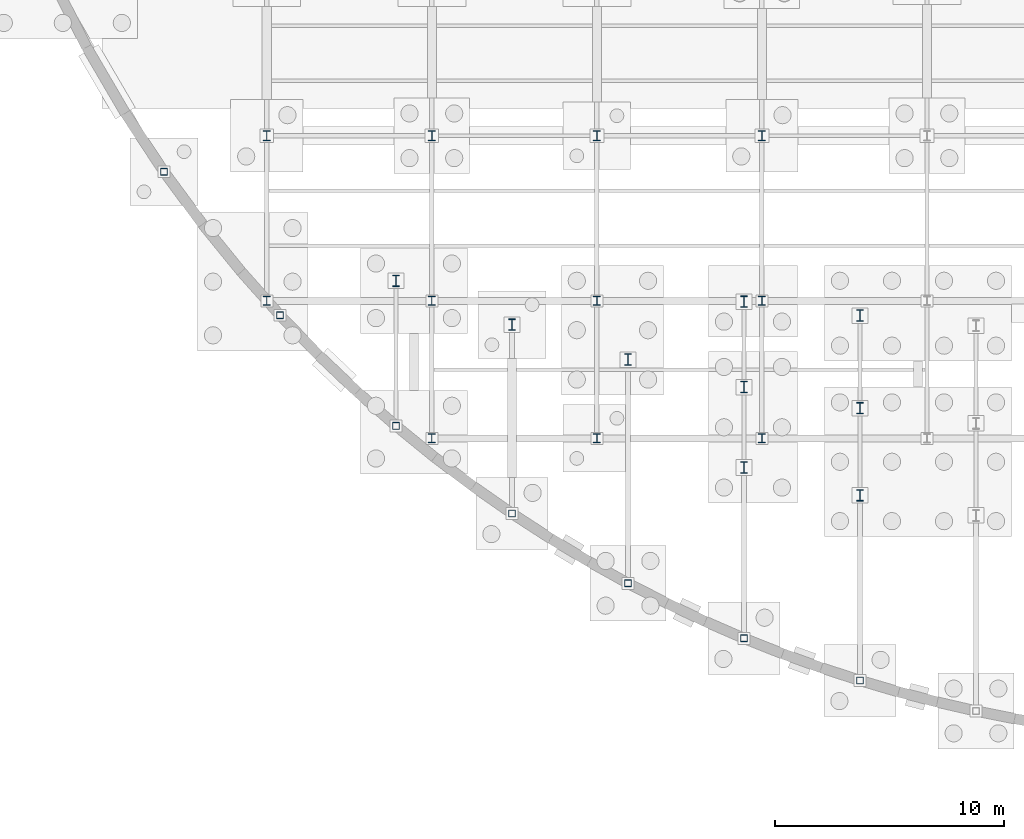
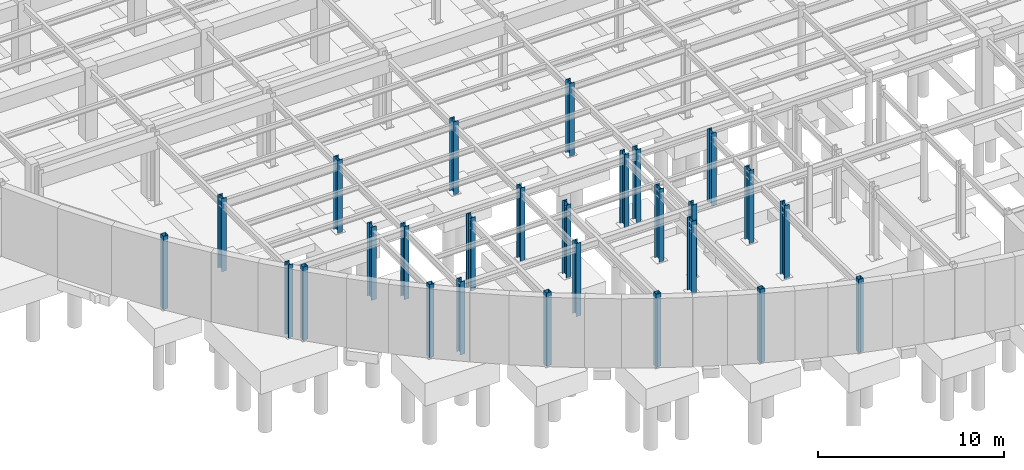
# One storey, part 16 of 64: 27 columns.
"""IFC4 building model written with IfcOpenShell, lengths in metres."""

from ifc_helpers import new_model, si_unit, direction, frame, origin, origin_2d, place, context, subcontext, project, spatial, hollow_rectangle, i_section, extrude, material, material_profile, profile_set, type_object, element, save


model = new_model("IFC4")

# Units and contexts
model_context = context("Model", 3, precision=1e-05, world=origin(), true_north=direction((0.0, 1.0)))
body_context = subcontext(model_context, "Body", "Model", "MODEL_VIEW")
ifc_project = project(units=[si_unit("LENGTHUNIT", "METRE"), si_unit("AREAUNIT", "SQUARE_METRE"), si_unit("VOLUMEUNIT", "CUBIC_METRE"), si_unit("PLANEANGLEUNIT", "RADIAN"), si_unit("MASSUNIT", "GRAM", prefix="KILO")], contexts=[model_context])

# Site, building, storey
site_placement = place(None, origin())
site = spatial("IfcSite", under=ifc_project, at=site_placement, CompositionType="ELEMENT")
building_placement = place(site_placement, origin())
building = spatial("IfcBuilding", under=site, at=building_placement, Name="Solvadek Multi-Sports Hall", CompositionType="ELEMENT")
storey_placement = place(building_placement, frame((0.0, 0.0, -4.800048828125)))
storey = spatial("IfcBuildingStorey", under=building, at=storey_placement, Name="B1", CompositionType="ELEMENT", Elevation=-4.800048828125)

# Columns
ifc_material = material(Name="Steel E350 (350 MPa)", Category="steel")
ifc_material_profile_1 = material_profile(ifc_material, hollow_rectangle(XDim=0.300048828125, YDim=0.300048828125, WallThickness=0.012451171875, at=origin_2d()), Name="SHS 300x300x12.5")
ifc_profile_set_1 = profile_set([ifc_material_profile_1], Name="Steel E350 (350 MPa)")
column_type_1 = type_object("IfcColumnType", Name="STR-COL-SHS300", PredefinedType="COLUMN", material=ifc_profile_set_1)
for number, where, z_axis, x_axis, name in (
    (1, (31.51513671875, 11.63232421875, 0.0), (0.0, 0.0, 1.0), (1.0, 0.0, 0.0), "B1 Column C-10 #267"),
    (2, (36.57568359375, 5.37158203125, 0.0), (0.0, 0.0, 1.0), (1.0, 0.0, 0.0), "B1 Column C-10 #268"),
    (3, (41.636474609375, 0.54541015625, 0.0), (0.0, 0.0, 1.0), (1.0, 0.0, 0.0), "B1 Column C-10 #269"),
    (4, (46.697021484375, -3.2783203125, 0.0), (0.0, 0.0, 1.0), (1.0, 0.0, 0.0), "B1 Column C-10 #271"),
    (5, (51.757568359375, -6.323974609375, 0.0), (0.0, 0.0, 1.0), (1.0, 0.0, 0.0), "B1 Column C-10 #273"),
    (6, (56.818115234375, -8.72412109375, 0.0), (0.0, 0.0, 1.0), (1.0, 0.0, 0.0), "B1 Column C-10 #275"),
    (7, (61.87890625, -10.562744140625, 0.0), (0.0, 0.0, 1.0), (1.0, 0.0, 0.0), "B1 Column C-10 #279"),
):
    element("IfcColumn", number, at=place(storey_placement, frame(where, z_axis=z_axis, x_axis=x_axis)), inside=storey, type_object=column_type_1, Name=name, PredefinedType="COLUMN", context=body_context, shape_type="SweptSolid", body=[
        extrude(hollow_rectangle(XDim=0.300048828125, YDim=0.300048828125, WallThickness=0.012451171875, at=origin_2d()), origin(), (0.0, 0.0, 1.0), 4.800048828125),
    ])
ifc_material_profile_2 = material_profile(ifc_material, i_section(OverallWidth=0.300048828125, OverallDepth=0.39990234375, WebThickness=0.013427734375, FlangeThickness=0.02392578125, at=origin_2d()), Name="WPB 400")
ifc_profile_set_2 = profile_set([ifc_material_profile_2], Name="Steel E350 (350 MPa)")
column_type_2 = type_object("IfcColumnType", Name="STR-COL-WPB400", PredefinedType="COLUMN", material=ifc_profile_set_2)
for number, where, z_axis, x_axis, name in (
    (8, (36.0, 6.0, 0.0), (0.0, 0.0, 1.0), (1.0, 0.0, 0.0), "B1 Column C-07 #66"),
    (9, (43.199951171875, 0.0, 0.0), (0.0, 0.0, 1.0), (1.0, 0.0, 0.0), "B1 Column C-07 #81"),
    (10, (43.199951171875, 6.0, 0.0), (0.0, 0.0, 1.0), (1.0, 0.0, 0.0), "B1 Column C-07 #82"),
    (11, (50.39990234375, 0.0, 0.0), (0.0, 0.0, 1.0), (1.0, 0.0, 0.0), "B1 Column C-07 #97"),
    (12, (50.39990234375, 6.0, 0.0), (0.0, 0.0, 1.0), (1.0, 0.0, 0.0), "B1 Column C-07 #98"),
    (13, (57.60009765625, 0.0, 0.0), (0.0, 0.0, 1.0), (1.0, 0.0, 0.0), "B1 Column C-07 #113"),
    (14, (57.60009765625, 6.0, 0.0), (0.0, 0.0, 1.0), (1.0, 0.0, 0.0), "B1 Column C-07 #114"),
):
    element("IfcColumn", number, at=place(storey_placement, frame(where, z_axis=z_axis, x_axis=x_axis)), inside=storey, type_object=column_type_2, Name=name, PredefinedType="COLUMN", context=body_context, shape_type="SweptSolid", body=[
        extrude(i_section(OverallWidth=0.300048828125, OverallDepth=0.39990234375, WebThickness=0.013427734375, FlangeThickness=0.02392578125, at=origin_2d()), origin(), (0.0, 0.0, 1.0), 4.800048828125),
    ])
ifc_material_profile_3 = material_profile(ifc_material, i_section(OverallWidth=0.300048828125, OverallDepth=0.449951171875, WebThickness=0.013916015625, FlangeThickness=0.02587890625, at=origin_2d()), Name="WPB 450")
ifc_profile_set_3 = profile_set([ifc_material_profile_3], Name="Steel E350 (350 MPa)")
column_type_3 = type_object("IfcColumnType", Name="STR-COL-WPB450", PredefinedType="COLUMN", material=ifc_profile_set_3)
for number, where, z_axis, x_axis, name in (
    (15, (36.0, 13.199951171875, 0.0), (0.0, 0.0, 1.0), (1.0, 0.0, 0.0), "B1 Column C-06 #67"),
    (16, (43.199951171875, 13.199951171875, 0.0), (0.0, 0.0, 1.0), (1.0, 0.0, 0.0), "B1 Column C-06 #83"),
    (17, (50.39990234375, 13.199951171875, 0.0), (0.0, 0.0, 1.0), (1.0, 0.0, 0.0), "B1 Column C-06 #99"),
    (18, (57.60009765625, 13.199951171875, 0.0), (0.0, 0.0, 1.0), (1.0, 0.0, 0.0), "B1 Column C-06 #115"),
):
    element("IfcColumn", number, at=place(storey_placement, frame(where, z_axis=z_axis, x_axis=x_axis)), inside=storey, type_object=column_type_3, Name=name, PredefinedType="COLUMN", context=body_context, shape_type="SweptSolid", body=[
        extrude(i_section(OverallWidth=0.300048828125, OverallDepth=0.449951171875, WebThickness=0.013916015625, FlangeThickness=0.02587890625, at=origin_2d()), origin(), (0.0, 0.0, 1.0), 4.800048828125),
    ])
ifc_material_profile_4 = material_profile(ifc_material, i_section(OverallWidth=0.300048828125, OverallDepth=0.5, WebThickness=0.014404296875, FlangeThickness=0.028076171875, at=origin_2d()), Name="WPB 500")
ifc_profile_set_4 = profile_set([ifc_material_profile_4], Name="Steel E350 (350 MPa)")
column_type_4 = type_object("IfcColumnType", Name="STR-COL-WPB500", PredefinedType="COLUMN", material=ifc_profile_set_4)
for number, where, z_axis, x_axis, name in (
    (19, (41.636474609375, 6.87255859375, 0.0), (0.0, 0.0, 1.0), (1.0, 0.0, 0.0), "B1 Column C-05 #270"),
    (20, (46.697021484375, 4.960693359375, 0.0), (0.0, 0.0, 1.0), (1.0, 0.0, 0.0), "B1 Column C-05 #272"),
    (21, (51.757568359375, 3.43798828125, 0.0), (0.0, 0.0, 1.0), (1.0, 0.0, 0.0), "B1 Column C-05 #274"),
    (22, (56.818115234375, 2.23779296875, 0.0), (0.0, 0.0, 1.0), (1.0, 0.0, 0.0), "B1 Column C-05 #276"),
    (23, (56.818115234375, -1.27001953125, 0.0), (0.0, 0.0, 1.0), (1.0, 0.0, 0.0), "B1 Column C-05 #277"),
    (24, (56.818115234375, 5.965087890625, 0.0), (0.0, 0.0, 1.0), (1.0, 0.0, 0.0), "B1 Column C-05 #278"),
    (25, (61.87890625, 1.318603515625, 0.0), (0.0, 0.0, 1.0), (1.0, 0.0, 0.0), "B1 Column C-05 #280"),
    (26, (61.87890625, -2.4833984375, 0.0), (0.0, 0.0, 1.0), (1.0, 0.0, 0.0), "B1 Column C-05 #281"),
    (27, (61.87890625, 5.3583984375, 0.0), (0.0, 0.0, 1.0), (1.0, 0.0, 0.0), "B1 Column C-05 #282"),
):
    element("IfcColumn", number, at=place(storey_placement, frame(where, z_axis=z_axis, x_axis=x_axis)), inside=storey, type_object=column_type_4, Name=name, PredefinedType="COLUMN", context=body_context, shape_type="SweptSolid", body=[
        extrude(i_section(OverallWidth=0.300048828125, OverallDepth=0.5, WebThickness=0.014404296875, FlangeThickness=0.028076171875, at=origin_2d()), origin(), (0.0, 0.0, 1.0), 4.800048828125),
    ])

save(model, "model.ifc")
